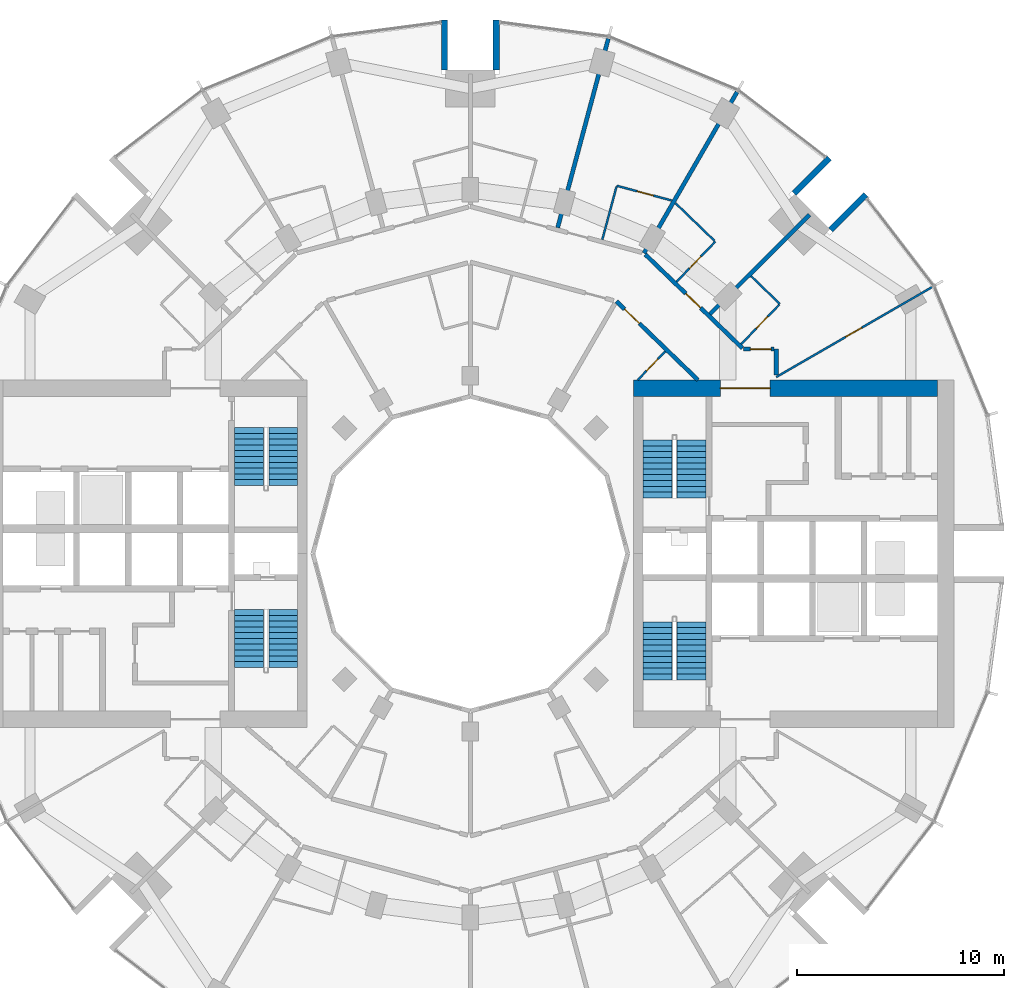
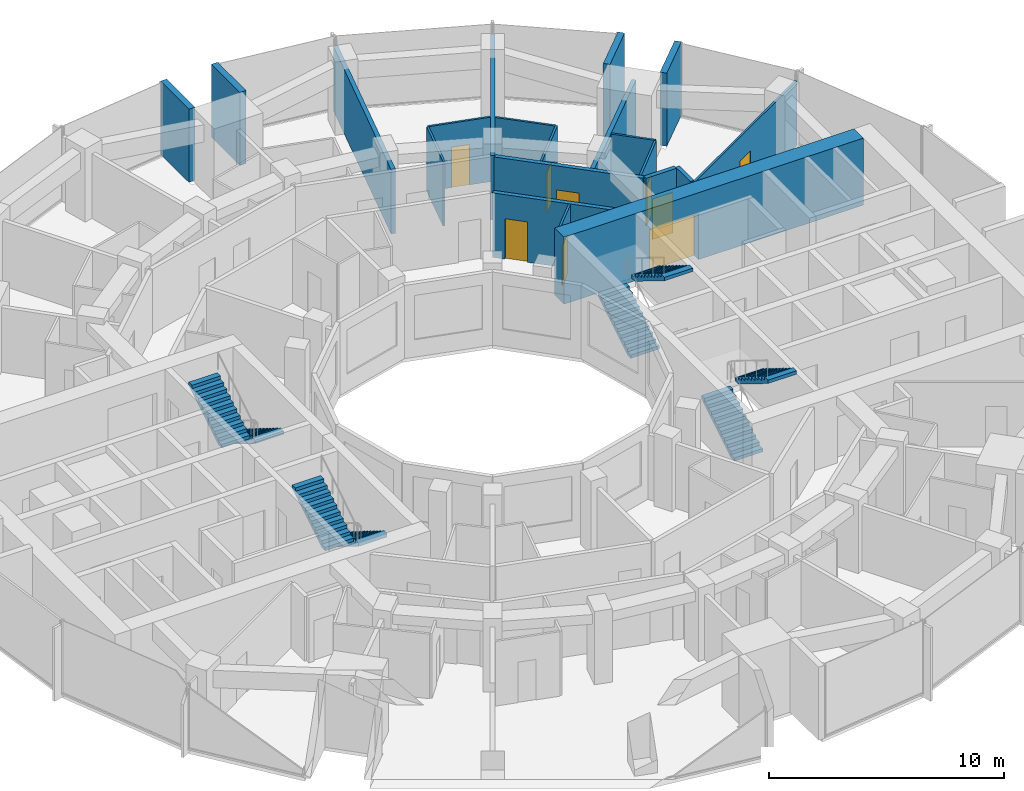
# One storey, part 13 of 15: 20 walls, 9 doors, 8 stair flights, 9 openings, 4 elements without a shape of their own.
"""IFC4 building model written with IfcOpenShell, lengths in metres."""

import ifcopenshell
import ifcopenshell.guid

model = None  # the IFC model being written
_history = None  # IfcOwnerHistory: only IFC2X3 demands one
_inside = {}  # id of a spatial element -> (the spatial element, [elements in it])
_under = {}  # id of a project, library or spatial element -> (it, [spatial elements below it])
_declared = {}  # id of a project -> (the project, [libraries it declares])
_typed = {}  # id of a type object -> (the type object, [elements of that type])
_made_of = {}  # id of a material, layer set ... -> (it, [elements and type objects made of it])


def new_model(schema):
    """Start an empty IFC model of exactly this schema.

    Asked for "IFC4X3", IfcOpenShell would pick the latest addendum, in which some entities
    have other attributes; the version numbers below select the first issue.
    IFC2X3 requires an IfcOwnerHistory on every rooted entity: one is made here for all.
    """
    global model, _history
    if schema == "IFC4X3":
        model = ifcopenshell.file(schema_version=(4, 3, 0, 0))
    else:
        model = ifcopenshell.file(schema=schema)
    _inside.clear()
    _under.clear()
    _declared.clear()
    _typed.clear()
    _made_of.clear()
    _history = None
    if model.schema == "IFC2X3":
        org = make("IfcOrganization", Name="unknown")
        user = make(
            "IfcPersonAndOrganization",
            ThePerson=make("IfcPerson", FamilyName="unknown"),
            TheOrganization=org,
        )
        app = make(
            "IfcApplication",
            ApplicationDeveloper=org,
            Version="unknown",
            ApplicationFullName="unknown",
            ApplicationIdentifier="unknown",
        )
        _history = make(
            "IfcOwnerHistory",
            OwningUser=user,
            OwningApplication=app,
            ChangeAction="ADDED",
            CreationDate=0,
        )
    return model


def make(cls, **values):
    """One entity of the class cls with the attributes given. An attribute that is None is left unset."""
    return model.create_entity(
        cls, **{name: value for name, value in values.items() if value is not None}
    )


def rooted(cls, **values):
    """An entity with a GlobalId (a new one), such as an element, a storey or a relation."""
    return make(cls, GlobalId=ifcopenshell.guid.new(), OwnerHistory=_history, **values)


def si_unit(unit_type, name, prefix=None):
    """IfcSIUnit, for example si_unit("LENGTHUNIT", "METRE", prefix="MILLI")."""
    return make("IfcSIUnit", UnitType=unit_type, Prefix=prefix, Name=name)


def assignment(units):
    """IfcUnitAssignment: the units of a project."""
    return None if units is None else make("IfcUnitAssignment", Units=units)


def point(xyz):
    """IfcCartesianPoint."""
    return None if xyz is None else make("IfcCartesianPoint", Coordinates=xyz)


def direction(xyz):
    """IfcDirection."""
    return None if xyz is None else make("IfcDirection", DirectionRatios=xyz)


def frame(location, z_axis=None, x_axis=None):
    """IfcAxis2Placement3D, a coordinate frame: its origin and axes. An axis left out is left unset."""
    return make(
        "IfcAxis2Placement3D",
        Location=point(location),
        Axis=direction(z_axis),
        RefDirection=direction(x_axis),
    )


def frame_2d(location, x_axis=None):
    """IfcAxis2Placement2D, a coordinate frame in the plane: its origin and x axis."""
    return make(
        "IfcAxis2Placement2D", Location=point(location), RefDirection=direction(x_axis)
    )


def origin():
    """The frame at (0, 0, 0) with its axes left unset."""
    return frame((0.0, 0.0, 0.0))


def place(relative_to, where):
    """IfcLocalPlacement: puts the frame where relative to a parent placement (None: the world)."""
    return make(
        "IfcLocalPlacement", PlacementRelTo=relative_to, RelativePlacement=where
    )


def context(
    kind, dimensions, precision=None, world=None, true_north=None, identifier=None
):
    """IfcGeometricRepresentationContext, for example the 3D "Model" context."""
    return make(
        "IfcGeometricRepresentationContext",
        ContextIdentifier=identifier,
        ContextType=kind,
        CoordinateSpaceDimension=dimensions,
        Precision=precision,
        WorldCoordinateSystem=world,
        TrueNorth=true_north,
    )


def subcontext(parent, identifier, kind, view, scale=None):
    """IfcGeometricRepresentationSubContext, for example "Body" below "Model"."""
    return make(
        "IfcGeometricRepresentationSubContext",
        ContextIdentifier=identifier,
        ContextType=kind,
        ParentContext=parent,
        TargetScale=scale,
        TargetView=view,
    )


def project(units=None, contexts=None):
    """IfcProject with its units and contexts."""
    return rooted(
        "IfcProject",
        Name="project",
        RepresentationContexts=contexts,
        UnitsInContext=assignment(units),
    )


def spatial(cls, under=None, at=None, **own):
    """A site, building, storey or space (cls), placed at a placement, below another one or the project."""
    s = rooted(cls, ObjectPlacement=at, **own)
    if under is not None:
        _under.setdefault(under.id(), (under, []))[1].append(s)
    return s


def polyline(points):
    """IfcPolyline through the points."""
    return make("IfcPolyline", Points=[point(p) for p in points])


def profile(cls, at=None, kind="AREA", **sizes):
    """A parametric profile (cls). Its sizes go by their IFC names, for example OverallWidth=200.0."""
    return make(cls, ProfileType=kind, Position=at, **sizes)


def rectangle(**sizes):
    """IfcRectangleProfileDef."""
    return profile("IfcRectangleProfileDef", **sizes)


def outline(outer, holes=None, kind="AREA"):
    """IfcArbitraryClosedProfileDef: a profile drawn as a closed curve; with holes, ...WithVoids."""
    if holes is None:
        return make("IfcArbitraryClosedProfileDef", ProfileType=kind, OuterCurve=outer)
    return make(
        "IfcArbitraryProfileDefWithVoids",
        ProfileType=kind,
        OuterCurve=outer,
        InnerCurves=holes,
    )


def extrude(swept, where, along, depth):
    """IfcExtrudedAreaSolid: the profile swept, set in the frame where, extruded along a direction by depth."""
    return make(
        "IfcExtrudedAreaSolid",
        SweptArea=swept,
        Position=where,
        ExtrudedDirection=direction(along),
        Depth=depth,
    )


def shape(context_of_items, identifier, shape_type, items):
    """IfcShapeRepresentation: the items that make up one representation, for example the "Body"."""
    return make(
        "IfcShapeRepresentation",
        ContextOfItems=context_of_items,
        RepresentationIdentifier=identifier,
        RepresentationType=shape_type,
        Items=items,
    )


def material(Name=None, Category=None):
    """IfcMaterial."""
    return make("IfcMaterial", Name=Name, Category=Category)


def layer(
    of_material, thickness, ventilated=None, Name=None, Category=None, Priority=None
):
    """IfcMaterialLayer: one layer of a wall or slab, of a material (None: an air gap)."""
    return make(
        "IfcMaterialLayer",
        Material=of_material,
        LayerThickness=thickness,
        IsVentilated=ventilated,
        Name=Name,
        Category=Category,
        Priority=Priority,
    )


def layer_set(layers, Name=None):
    """IfcMaterialLayerSet."""
    return make("IfcMaterialLayerSet", MaterialLayers=layers, LayerSetName=Name)


def made_of(thing, what):
    """Note that an element or type object is made of a material, layer set ...; save() writes the relation."""
    if what is not None:
        _made_of.setdefault(what.id(), (what, []))[1].append(thing)
    return thing


def type_object(cls, material=None, **own):
    """A type object (cls), such as IfcWallType, which elements share."""
    return made_of(rooted(cls, **own), material)


def element(
    cls,
    number,
    at=None,
    inside=None,
    cuts=None,
    type_object=None,
    material=None,
    context=None,
    identifier="Body",
    shape_type=None,
    held_by="IfcProductDefinitionShape",
    body=None,
    shapes=None,
    **own,
):
    """One element of the class cls, such as IfcWall. Its Tag is "e" and its number.

    at: its placement. inside: the storey or other place that contains it. cuts: it is an
    opening in that element (IfcRelVoidsElement). A single representation is given by context,
    identifier, shape_type and body (its items); several are given by shapes. held_by: the class
    of the entity that holds the representations. save() writes the other relations.
    """
    e = rooted(cls, Tag="e%d" % number, ObjectPlacement=at, **own)
    if body is not None:
        shapes = [shape(context, identifier, shape_type, body)]
    if shapes is not None:
        e.Representation = make(held_by, Representations=shapes)
    if inside is not None:
        _inside.setdefault(inside.id(), (inside, []))[1].append(e)
    if cuts is not None:
        rooted(
            "IfcRelVoidsElement", RelatingBuildingElement=cuts, RelatedOpeningElement=e
        )
    if type_object is not None:
        _typed.setdefault(type_object.id(), (type_object, []))[1].append(e)
    return made_of(e, material)


def fill(opening, filler):
    """IfcRelFillsElement: the door or window that sits in an opening."""
    return rooted(
        "IfcRelFillsElement",
        RelatingOpeningElement=opening,
        RelatedBuildingElement=filler,
    )


def aggregate(whole, parts):
    """IfcRelAggregates: a whole, such as a stair, and the parts it consists of."""
    return rooted("IfcRelAggregates", RelatingObject=whole, RelatedObjects=parts)


def save(model, path):
    """Write the relations noted so far, then the file.

    IfcRelAggregates (storeys below a building ...), IfcRelContainedInSpatialStructure (elements
    in a storey), IfcRelDefinesByType, IfcRelAssociatesMaterial and IfcRelDeclares: one each for
    every whole, place, type object, material and project.
    """
    for whole, parts in _under.values():
        aggregate(whole, parts)
    for where, things in _inside.values():
        rooted(
            "IfcRelContainedInSpatialStructure",
            RelatedElements=things,
            RelatingStructure=where,
        )
    for kind, things in _typed.values():
        rooted("IfcRelDefinesByType", RelatedObjects=things, RelatingType=kind)
    for what, things in _made_of.values():
        rooted("IfcRelAssociatesMaterial", RelatedObjects=things, RelatingMaterial=what)
    for by, libraries in _declared.values():
        rooted("IfcRelDeclares", RelatingContext=by, RelatedDefinitions=libraries)
    model.write(path)


model = new_model("IFC4")

# Units and contexts
model_context = context("Model", 3, precision=1e-05, world=origin(), true_north=direction((0.0, 1.0)))
body_context = subcontext(model_context, "Body", "Model", "MODEL_VIEW")
ifc_project = project(units=[si_unit("LENGTHUNIT", "METRE"), si_unit("AREAUNIT", "SQUARE_METRE"), si_unit("VOLUMEUNIT", "CUBIC_METRE"), si_unit("PLANEANGLEUNIT", "RADIAN"), si_unit("MASSUNIT", "GRAM", prefix="KILO")], contexts=[model_context])

# Site, building, storey
site_placement = place(None, origin())
site = spatial("IfcSite", under=ifc_project, at=site_placement, CompositionType="ELEMENT")
building_placement = place(site_placement, origin())
building = spatial("IfcBuilding", under=site, at=building_placement, Name="Torre Brocal", CompositionType="ELEMENT")
storey_placement = place(building_placement, frame((0.0, 0.0, 36.39990234375)))
storey = spatial("IfcBuildingStorey", under=building, at=storey_placement, Name="L07", CompositionType="ELEMENT", Elevation=36.39990234375)

# Wall, opening, door
ifc_material_1 = material(Name="Concrete C80", Category="concrete")
ifc_layer_1 = layer(ifc_material_1, 0.800048828125)
ifc_layer_set_1 = layer_set([ifc_layer_1], Name="Concrete C80")
wall_type_1 = type_object("IfcWallType", Name="CORE WALL 800 C80", PredefinedType="SHEAR", material=ifc_layer_set_1)
wall_1_placement = place(storey_placement, frame((87.89990234375, 83.0, 0.0), z_axis=(0.0, 0.0, 1.0), x_axis=(1.0, 0.0, 0.0)))
wall_1 = element("IfcWall", 1, at=wall_1_placement, inside=storey, type_object=wall_type_1, Name="Wall CW800-80", PredefinedType="SHEAR", context=body_context, shape_type="SweptSolid", body=[
    extrude(rectangle(XDim=14.7001953125, YDim=0.800048828125, at=frame_2d((7.35009765625, 0.0))), origin(), (0.0, 0.0, 1.0), 3.47998046875),
])
opening_1_placement = place(wall_1_placement, frame((4.199951171875, 0.0, 0.0)))
opening_1 = element("IfcOpeningElement", 2, at=opening_1_placement, cuts=wall_1, Name="Opening E-D27", PredefinedType="OPENING", context=body_context, shape_type="SweptSolid", body=[
    extrude(rectangle(XDim=2.39990234375, YDim=2.39990234375, at=frame_2d((1.199951171875, 1.199951171875))), frame((0.0, 0.409912109375, 0.0), z_axis=(0.0, -1.0, 0.0), x_axis=(1.0, 0.0, 0.0)), (0.0, 0.0, 1.0), 0.820068359375),
])
ifc_material_2 = material(Name="Steel A653", Category="steel")
door_type_1 = type_object("IfcDoorType", Name="DOUBLE FIRE DOOR FD90 2400X2400", OperationType="DOUBLE_DOOR_SINGLE_SWING", PredefinedType="DOOR", material=ifc_material_2)
door_1_placement = place(opening_1_placement, frame((2.39990234375, 0.0, 0.0), z_axis=(0.0, 0.0, 1.0), x_axis=(-1.0, 0.0, 0.0)))
door_1 = element("IfcDoor", 3, at=door_1_placement, inside=storey, type_object=door_type_1, Name="Door E-D27", OperationType="DOUBLE_DOOR_SINGLE_SWING", OverallHeight=2.39990234375, OverallWidth=2.39990234375, PredefinedType="DOOR", context=body_context, shape_type="SweptSolid", body=[
    extrude(rectangle(XDim=2.39990234375, YDim=2.39990234375, at=frame_2d((1.199951171875, 1.199951171875))), frame((0.0, 0.02490234375, 0.0), z_axis=(0.0, -1.0, 0.0), x_axis=(1.0, 0.0, 0.0)), (0.0, 0.0, 1.0), 0.050048828125),
])
fill(opening_1, door_1)

# Walls
ifc_material_3 = material(Name="Concrete C80", Category="concrete")
ifc_layer_2 = layer(ifc_material_3, 0.300048828125)
ifc_layer_set_2 = layer_set([ifc_layer_2], Name="Concrete C80")
wall_type_2 = type_object("IfcWallType", Name="NOTCH RETURN WALL 300 C80", PredefinedType="NOTDEFINED", material=ifc_layer_set_2)
for number, where, z_axis, x_axis, name in (
    (4, (97.43017578125, 90.662353515625, 0.0), (0.0, 0.0, 1.0), (0.707106781187, 0.707106781187, 0.0), "NOTCH RETURN WALL"),
    (5, (95.662353515625, 92.43017578125, 0.0), (0.0, 0.0, 1.0), (0.707106781187, 0.707106781187, 0.0), "NOTCH RETURN WALL"),
    (6, (81.25, 98.39990234375, 0.0), (0.0, 0.0, 1.0), (0.0, 1.0, 0.0), "NOTCH RETURN WALL"),
    (7, (78.75, 98.39990234375, 0.0), (0.0, 0.0, 1.0), (0.0, 1.0, 0.0), "NOTCH RETURN WALL"),
):
    element("IfcWall", number, at=place(storey_placement, frame(where, z_axis=z_axis, x_axis=x_axis)), inside=storey, type_object=wall_type_2, Name=name, PredefinedType="NOTDEFINED", context=body_context, shape_type="SweptSolid", body=[
        extrude(rectangle(XDim=2.415771484375, YDim=0.300048828125, at=frame_2d((1.2080078125, 0.0))), origin(), (0.0, 0.0, 1.0), 3.800048828125),
    ])
ifc_material_4 = material(Name="Gypsum board", Category="Gypsum")
ifc_layer_3 = layer(ifc_material_4, 0.10009765625)
ifc_layer_set_3 = layer_set([ifc_layer_3], Name="Gypsum board")
wall_type_3 = type_object("IfcWallType", Name="PARTITION 100", PredefinedType="PARTITIONING", material=ifc_layer_set_3)
wall_2_placement = place(storey_placement, frame((86.3837890625, 90.189697265625, 0.0), z_axis=(0.0, 0.0, 1.0), x_axis=(0.258677737588, 0.965963678446, 0.0)))
element("IfcWall", 8, at=wall_2_placement, inside=storey, type_object=wall_type_3, Name="BATHROOM WALL", PredefinedType="PARTITIONING", context=body_context, shape_type="SweptSolid", body=[
    extrude(rectangle(XDim=2.649169921875, YDim=0.10009765625, at=frame_2d((1.32470703125, 0.0))), origin(), (0.0, 0.0, 1.0), 3.35009765625),
])

# Wall, opening, door
wall_3_placement = place(storey_placement, frame((87.08203125, 92.797119140625, 0.0), z_axis=(0.0, 0.0, 1.0), x_axis=(0.965926679745, -0.258815859939, 0.0)))
wall_3 = element("IfcWall", 9, at=wall_3_placement, inside=storey, type_object=wall_type_3, Name="BATHROOM WALL", PredefinedType="PARTITIONING", context=body_context, shape_type="SweptSolid", body=[
    extrude(rectangle(XDim=2.75341796875, YDim=0.10009765625, at=frame_2d((1.376708984375, 0.0))), origin(), (0.0, 0.0, 1.0), 3.35009765625),
])
opening_2_placement = place(wall_3_placement, frame((1.03173828125, 0.0, 0.0)))
opening_2 = element("IfcOpeningElement", 10, at=opening_2_placement, cuts=wall_3, Name="Opening H01-D07", PredefinedType="OPENING", context=body_context, shape_type="SweptSolid", body=[
    extrude(rectangle(XDim=0.800048828125, YDim=2.10009765625, at=frame_2d((0.39990234375, 1.050048828125))), frame((0.0, 0.06005859375, 0.0), z_axis=(0.0, -1.0, 0.0), x_axis=(1.0, 0.0, 0.0)), (0.0, 0.0, 1.0), 0.1201171875),
])
ifc_material_5 = material(Name="Timber", Category="wood")
door_type_2 = type_object("IfcDoorType", Name="BATHROOM DOOR 800X2100", OperationType="SINGLE_SWING_LEFT", PredefinedType="DOOR", material=ifc_material_5)
door_2_placement = place(opening_2_placement, frame((0.800048828125, 0.0, 0.0), z_axis=(0.0, 0.0, 1.0), x_axis=(-1.0, 0.0, 0.0)))
door_2 = element("IfcDoor", 11, at=door_2_placement, inside=storey, type_object=door_type_2, Name="H01-D07", OperationType="SINGLE_SWING_LEFT", OverallHeight=2.10009765625, OverallWidth=0.800048828125, PredefinedType="DOOR", context=body_context, shape_type="SweptSolid", body=[
    extrude(rectangle(XDim=0.800048828125, YDim=2.10009765625, at=frame_2d((0.39990234375, 1.050048828125))), frame((0.0, 0.02490234375, 0.0), z_axis=(0.0, -1.0, 0.0), x_axis=(1.0, 0.0, 0.0)), (0.0, 0.0, 1.0), 0.050048828125),
])
fill(opening_2, door_2)

wall_4_placement = place(storey_placement, frame((88.094970703125, 83.39990234375, 0.0), z_axis=(0.0, 0.0, 1.0), x_axis=(0.694447472534, 0.719543402368, 0.0)))
wall_4 = element("IfcWall", 12, at=wall_4_placement, inside=storey, type_object=wall_type_3, Name="BATHROOM WALL", PredefinedType="PARTITIONING", context=body_context, shape_type="SweptSolid", body=[
    extrude(rectangle(XDim=1.92626953125, YDim=0.10009765625, at=frame_2d((0.963134765625, 0.0))), origin(), (0.0, 0.0, 1.0), 3.35009765625),
])
opening_3_placement = place(wall_4_placement, frame((0.613037109375, 0.0, 0.0)))
opening_3 = element("IfcOpeningElement", 13, at=opening_3_placement, cuts=wall_4, Name="Opening H01-D19", PredefinedType="OPENING", context=body_context, shape_type="SweptSolid", body=[
    extrude(rectangle(XDim=0.800048828125, YDim=2.10009765625, at=frame_2d((0.39990234375, 1.050048828125))), frame((0.0, 0.06005859375, 0.0), z_axis=(0.0, -1.0, 0.0), x_axis=(1.0, 0.0, 0.0)), (0.0, 0.0, 1.0), 0.1201171875),
])
door_3_placement = place(opening_3_placement, frame((0.800048828125, 0.0, 0.0), z_axis=(0.0, 0.0, 1.0), x_axis=(-1.0, 0.0, 0.0)))
door_3 = element("IfcDoor", 14, at=door_3_placement, inside=storey, type_object=door_type_2, Name="H01-D19", OperationType="SINGLE_SWING_LEFT", OverallHeight=2.10009765625, OverallWidth=0.800048828125, PredefinedType="DOOR", context=body_context, shape_type="SweptSolid", body=[
    extrude(rectangle(XDim=0.800048828125, YDim=2.10009765625, at=frame_2d((0.39990234375, 1.050048828125))), frame((0.0, 0.02490234375, 0.0), z_axis=(0.0, -1.0, 0.0), x_axis=(1.0, 0.0, 0.0)), (0.0, 0.0, 1.0), 0.050048828125),
])
fill(opening_3, door_3)

# Wall
wall_5_placement = place(storey_placement, frame((89.9248046875, 91.955810546875, 0.0), z_axis=(0.0, 0.0, 1.0), x_axis=(0.71935982196, -0.694637636865, 0.0)))
element("IfcWall", 15, at=wall_5_placement, inside=storey, type_object=wall_type_3, Name="BATHROOM WALL", PredefinedType="PARTITIONING", context=body_context, shape_type="SweptSolid", body=[
    extrude(rectangle(XDim=2.626953125, YDim=0.10009765625, at=frame_2d((1.3134765625, 0.0))), origin(), (0.0, 0.0, 1.0), 3.35009765625),
])

# Wall, opening, door
wall_6_placement = place(storey_placement, frame((89.9755859375, 88.154052734375, 0.0), z_axis=(0.0, 0.0, 1.0), x_axis=(0.6945137956, 0.719479386585, 0.0)))
wall_6 = element("IfcWall", 16, at=wall_6_placement, inside=storey, type_object=wall_type_3, Name="BATHROOM WALL", PredefinedType="PARTITIONING", context=body_context, shape_type="SweptSolid", body=[
    extrude(rectangle(XDim=2.698974609375, YDim=0.10009765625, at=frame_2d((1.349609375, 0.0))), origin(), (0.0, 0.0, 1.0), 3.35009765625),
])
opening_4_placement = place(wall_6_placement, frame((0.899658203125, 0.0, 0.0)))
opening_4 = element("IfcOpeningElement", 17, at=opening_4_placement, cuts=wall_6, Name="Opening H01-D05", PredefinedType="OPENING", context=body_context, shape_type="SweptSolid", body=[
    extrude(rectangle(XDim=0.800048828125, YDim=2.10009765625, at=frame_2d((0.39990234375, 1.050048828125))), frame((0.0, 0.06005859375, 0.0), z_axis=(0.0, -1.0, 0.0), x_axis=(1.0, 0.0, 0.0)), (0.0, 0.0, 1.0), 0.1201171875),
])
door_4_placement = place(opening_4_placement, origin())
door_4 = element("IfcDoor", 18, at=door_4_placement, inside=storey, type_object=door_type_2, Name="H01-D05", OperationType="SINGLE_SWING_LEFT", OverallHeight=2.10009765625, OverallWidth=0.800048828125, PredefinedType="DOOR", context=body_context, shape_type="SweptSolid", body=[
    extrude(rectangle(XDim=0.800048828125, YDim=2.10009765625, at=frame_2d((0.39990234375, 1.050048828125))), frame((0.0, 0.02490234375, 0.0), z_axis=(0.0, -1.0, 0.0), x_axis=(1.0, 0.0, 0.0)), (0.0, 0.0, 1.0), 0.050048828125),
])
fill(opening_4, door_4)

wall_7_placement = place(storey_placement, frame((93.1025390625, 85.135986328125, 0.0), z_axis=(0.0, 0.0, 1.0), x_axis=(0.694324808789, 0.719661767708, 0.0)))
wall_7 = element("IfcWall", 19, at=wall_7_placement, inside=storey, type_object=wall_type_3, Name="BATHROOM WALL", PredefinedType="PARTITIONING", context=body_context, shape_type="SweptSolid", body=[
    extrude(rectangle(XDim=2.64990234375, YDim=0.10009765625, at=frame_2d((1.324951171875, 0.0))), origin(), (0.0, 0.0, 1.0), 3.35009765625),
])
opening_5_placement = place(wall_7_placement, frame((1.0498046875, 0.0, 0.0)))
opening_5 = element("IfcOpeningElement", 20, at=opening_5_placement, cuts=wall_7, Name="Opening H01-D02", PredefinedType="OPENING", context=body_context, shape_type="SweptSolid", body=[
    extrude(rectangle(XDim=0.800048828125, YDim=2.10009765625, at=frame_2d((0.39990234375, 1.050048828125))), frame((0.0, 0.06005859375, 0.0), z_axis=(0.0, -1.0, 0.0), x_axis=(1.0, 0.0, 0.0)), (0.0, 0.0, 1.0), 0.1201171875),
])
door_5_placement = place(opening_5_placement, origin())
door_5 = element("IfcDoor", 21, at=door_5_placement, inside=storey, type_object=door_type_2, Name="H01-D02", OperationType="SINGLE_SWING_RIGHT", OverallHeight=2.10009765625, OverallWidth=0.800048828125, PredefinedType="DOOR", context=body_context, shape_type="SweptSolid", body=[
    extrude(rectangle(XDim=0.800048828125, YDim=2.10009765625, at=frame_2d((0.39990234375, 1.050048828125))), frame((0.0, 0.02490234375, 0.0), z_axis=(0.0, -1.0, 0.0), x_axis=(1.0, 0.0, 0.0)), (0.0, 0.0, 1.0), 0.050048828125),
])
fill(opening_5, door_5)

# Wall
wall_8_placement = place(storey_placement, frame((93.5810546875, 88.425048828125, 0.0), z_axis=(0.0, 0.0, 1.0), x_axis=(0.719336381931, -0.694661910307, 0.0)))
element("IfcWall", 22, at=wall_8_placement, inside=storey, type_object=wall_type_3, Name="BATHROOM WALL", PredefinedType="PARTITIONING", context=body_context, shape_type="SweptSolid", body=[
    extrude(rectangle(XDim=1.939208984375, YDim=0.10009765625, at=frame_2d((0.9697265625, 0.0))), origin(), (0.0, 0.0, 1.0), 3.35009765625),
])

# Wall, opening, door
wall_9_placement = place(storey_placement, frame((94.800048828125, 83.544921875, 0.0), z_axis=(0.0, 0.0, 1.0), x_axis=(0.86602264145, 0.500004784474, 0.0)))
wall_9 = element("IfcWall", 23, at=wall_9_placement, inside=storey, type_object=wall_type_3, Name="ROOM PARTITION", PredefinedType="PARTITIONING", context=body_context, shape_type="SweptSolid", body=[
    extrude(rectangle(XDim=8.7080078125, YDim=0.10009765625, at=frame_2d((4.35400390625, 0.0))), origin(), (0.0, 0.0, 1.0), 3.35009765625),
])
opening_6_placement = place(wall_9_placement, frame((3.87890625, 0.0, 0.0)))
opening_6 = element("IfcOpeningElement", 24, at=opening_6_placement, cuts=wall_9, Name="Opening H01-D03", PredefinedType="OPENING", context=body_context, shape_type="SweptSolid", body=[
    extrude(rectangle(XDim=0.89990234375, YDim=2.10009765625, at=frame_2d((0.449951171875, 1.050048828125))), frame((0.0, 0.06005859375, 0.0), z_axis=(0.0, -1.0, 0.0), x_axis=(1.0, 0.0, 0.0)), (0.0, 0.0, 1.0), 0.1201171875),
])
ifc_material_6 = material(Name="Timber", Category="wood")
door_type_3 = type_object("IfcDoorType", Name="ROOM DOOR 900X2100", OperationType="SINGLE_SWING_LEFT", PredefinedType="DOOR", material=ifc_material_6)
door_6_placement = place(opening_6_placement, frame((0.89990234375, 0.0, 0.0), z_axis=(0.0, 0.0, 1.0), x_axis=(-1.0, 0.0, 0.0)))
door_6 = element("IfcDoor", 25, at=door_6_placement, inside=storey, type_object=door_type_3, Name="H01-D03", OperationType="SINGLE_SWING_RIGHT", OverallHeight=2.10009765625, OverallWidth=0.89990234375, PredefinedType="DOOR", context=body_context, shape_type="SweptSolid", body=[
    extrude(rectangle(XDim=0.89990234375, YDim=2.10009765625, at=frame_2d((0.449951171875, 1.050048828125))), frame((0.0, 0.02490234375, 0.0), z_axis=(0.0, -1.0, 0.0), x_axis=(1.0, 0.0, 0.0)), (0.0, 0.0, 1.0), 0.050048828125),
])
fill(opening_6, door_6)

# Wall
ifc_material_7 = material(Name="Gypsum board", Category="Gypsum")
ifc_layer_4 = layer(ifc_material_7, 0.199951171875)
ifc_layer_set_4 = layer_set([ifc_layer_4], Name="Gypsum board")
wall_type_4 = type_object("IfcWallType", Name="PARTITION 200 EI60", PredefinedType="PARTITIONING", material=ifc_layer_set_4)
wall_10_placement = place(storey_placement, frame((84.224853515625, 90.767578125, 0.0), z_axis=(0.0, 0.0, 1.0), x_axis=(0.258817230439, 0.965926312525, 0.0)))
element("IfcWall", 26, at=wall_10_placement, inside=storey, type_object=wall_type_4, Name="PARTY PARTITION", PredefinedType="PARTITIONING", context=body_context, shape_type="SweptSolid", body=[
    extrude(rectangle(XDim=9.474365234375, YDim=0.199951171875, at=frame_2d((4.7373046875, 0.0))), origin(), (0.0, 0.0, 1.0), 3.35009765625),
])

# Wall, opening, door
wall_11_placement = place(storey_placement, frame((87.06396484375, 87.2109375, 0.0), z_axis=(0.0, 0.0, 1.0), x_axis=(0.719540958932, -0.694450004262, 0.0)))
wall_11 = element("IfcWall", 27, at=wall_11_placement, inside=storey, type_object=wall_type_4, Name="GUESTROOM CORRIDOR WALL", PredefinedType="PARTITIONING", context=body_context, shape_type="SweptSolid", body=[
    extrude(rectangle(XDim=5.48779296875, YDim=0.199951171875, at=frame_2d((2.743896484375, 0.0))), origin(), (0.0, 0.0, 1.0), 3.35009765625),
])
opening_7_placement = place(wall_11_placement, frame((0.550048828125, 0.0, 0.0)))
opening_7 = element("IfcOpeningElement", 28, at=opening_7_placement, cuts=wall_11, Name="Opening H01-D18", PredefinedType="OPENING", context=body_context, shape_type="SweptSolid", body=[
    extrude(rectangle(XDim=1.0, YDim=2.10009765625, at=frame_2d((0.5, 1.050048828125))), frame((0.0, 0.10986328125, 0.0), z_axis=(0.0, -1.0, 0.0), x_axis=(1.0, 0.0, 0.0)), (0.0, 0.0, 1.0), 0.219970703125),
])
ifc_material_8 = material(Name="Timber", Category="wood")
door_type_4 = type_object("IfcDoorType", Name="FLAT ENTRY DOOR FD30S 1000X2100", OperationType="SINGLE_SWING_RIGHT", PredefinedType="DOOR", material=ifc_material_8)
door_7_placement = place(opening_7_placement, frame((1.0, 0.0, 0.0), z_axis=(0.0, 0.0, 1.0), x_axis=(-1.0, 0.0, 0.0)))
door_7 = element("IfcDoor", 29, at=door_7_placement, inside=storey, type_object=door_type_4, Name="H01-D18", OperationType="SINGLE_SWING_RIGHT", OverallHeight=2.10009765625, OverallWidth=1.0, PredefinedType="DOOR", context=body_context, shape_type="SweptSolid", body=[
    extrude(rectangle(XDim=1.0, YDim=2.10009765625, at=frame_2d((0.5, 1.050048828125))), frame((0.0, 0.02490234375, 0.0), z_axis=(0.0, -1.0, 0.0), x_axis=(1.0, 0.0, 0.0)), (0.0, 0.0, 1.0), 0.050048828125),
])
fill(opening_7, door_7)

wall_12_placement = place(storey_placement, frame((88.46533203125, 89.472900390625, 0.0), z_axis=(0.0, 0.0, 1.0), x_axis=(0.719457552421, -0.694536413922, 0.0)))
wall_12 = element("IfcWall", 30, at=wall_12_placement, inside=storey, type_object=wall_type_4, Name="GUESTROOM CORRIDOR WALL", PredefinedType="PARTITIONING", context=body_context, shape_type="SweptSolid", body=[
    extrude(rectangle(XDim=6.5244140625, YDim=0.199951171875, at=frame_2d((3.26220703125, 0.0))), origin(), (0.0, 0.0, 1.0), 3.35009765625),
])
opening_8_placement = place(wall_12_placement, frame((2.718505859375, 0.0, 0.0)))
opening_8 = element("IfcOpeningElement", 31, at=opening_8_placement, cuts=wall_12, Name="Opening H01-D04", PredefinedType="OPENING", context=body_context, shape_type="SweptSolid", body=[
    extrude(rectangle(XDim=1.0, YDim=2.10009765625, at=frame_2d((0.5, 1.050048828125))), frame((0.0, 0.10986328125, 0.0), z_axis=(0.0, -1.0, 0.0), x_axis=(1.0, 0.0, 0.0)), (0.0, 0.0, 1.0), 0.219970703125),
])
door_8_placement = place(opening_8_placement, origin())
door_8 = element("IfcDoor", 32, at=door_8_placement, inside=storey, type_object=door_type_4, Name="H01-D04", OperationType="SINGLE_SWING_RIGHT", OverallHeight=2.10009765625, OverallWidth=1.0, PredefinedType="DOOR", context=body_context, shape_type="SweptSolid", body=[
    extrude(rectangle(XDim=1.0, YDim=2.10009765625, at=frame_2d((0.5, 1.050048828125))), frame((0.0, 0.02490234375, 0.0), z_axis=(0.0, -1.0, 0.0), x_axis=(1.0, 0.0, 0.0)), (0.0, 0.0, 1.0), 0.050048828125),
])
fill(opening_8, door_8)

# Walls
wall_13_placement = place(storey_placement, frame((88.39990234375, 89.53759765625, 0.0), z_axis=(0.0, 0.0, 1.0), x_axis=(0.5002401188, 0.865886726739, 0.0)))
element("IfcWall", 33, at=wall_13_placement, inside=storey, type_object=wall_type_4, Name="BATHROOM WALL", PredefinedType="PARTITIONING", context=body_context, shape_type="SweptSolid", body=[
    extrude(rectangle(XDim=9.0078125, YDim=0.199951171875, at=frame_2d((4.50390625, 0.0))), origin(), (0.0, 0.0, 1.0), 3.35009765625),
])
wall_14_placement = place(storey_placement, frame((91.594482421875, 86.59130859375, 0.0), z_axis=(0.0, 0.0, 1.0), x_axis=(0.707214399597, 0.706999146394, 0.0)))
element("IfcWall", 34, at=wall_14_placement, inside=storey, type_object=wall_type_4, Name="BATHROOM WALL", PredefinedType="PARTITIONING", context=body_context, shape_type="SweptSolid", body=[
    extrude(rectangle(XDim=6.80517578125, YDim=0.199951171875, at=frame_2d((3.402587890625, 0.0))), origin(), (0.0, 0.0, 1.0), 3.35009765625),
])

# Wall, opening, door
wall_15_placement = place(storey_placement, frame((93.202880859375, 84.89990234375, 0.0), z_axis=(0.0, 0.0, 1.0), x_axis=(1.0, 0.0, 0.0)))
wall_15 = element("IfcWall", 35, at=wall_15_placement, inside=storey, type_object=wall_type_4, Name="GUESTROOM CORRIDOR WALL", PredefinedType="PARTITIONING", context=body_context, shape_type="SweptSolid", body=[
    extrude(rectangle(XDim=1.4970703125, YDim=0.199951171875, at=frame_2d((0.74853515625, 0.0))), origin(), (0.0, 0.0, 1.0), 3.35009765625),
])
opening_9_placement = place(wall_15_placement, frame((0.346923828125, 0.0, 0.0)))
opening_9 = element("IfcOpeningElement", 36, at=opening_9_placement, cuts=wall_15, Name="Opening H01-D01", PredefinedType="OPENING", context=body_context, shape_type="SweptSolid", body=[
    extrude(rectangle(XDim=1.0, YDim=2.10009765625, at=frame_2d((0.5, 1.050048828125))), frame((0.0, 0.10986328125, 0.0), z_axis=(0.0, -1.0, 0.0), x_axis=(1.0, 0.0, 0.0)), (0.0, 0.0, 1.0), 0.219970703125),
])
door_9_placement = place(opening_9_placement, origin())
door_9 = element("IfcDoor", 37, at=door_9_placement, inside=storey, type_object=door_type_4, Name="H01-D01", OperationType="SINGLE_SWING_RIGHT", OverallHeight=2.10009765625, OverallWidth=1.0, PredefinedType="DOOR", context=body_context, shape_type="SweptSolid", body=[
    extrude(rectangle(XDim=1.0, YDim=2.10009765625, at=frame_2d((0.5, 1.050048828125))), frame((0.0, 0.02490234375, 0.0), z_axis=(0.0, -1.0, 0.0), x_axis=(1.0, 0.0, 0.0)), (0.0, 0.0, 1.0), 0.050048828125),
])
fill(opening_9, door_9)

# Wall
wall_16_placement = place(storey_placement, frame((94.800048828125, 83.64990234375, 0.0), z_axis=(0.0, 0.0, 1.0), x_axis=(0.0, 1.0, 0.0)))
element("IfcWall", 38, at=wall_16_placement, inside=storey, type_object=wall_type_4, Name="GUESTROOM CORRIDOR WALL", PredefinedType="PARTITIONING", context=body_context, shape_type="SweptSolid", body=[
    extrude(rectangle(XDim=1.25, YDim=0.199951171875, at=frame_2d((0.625, 0.0))), origin(), (0.0, 0.0, 1.0), 3.35009765625),
])

# Stair, stair flights
ifc_material_9 = material(Name="Concrete C50", Category="concrete")
stair_type = type_object("IfcStairType", Name="EXIT STAIR", PredefinedType="HALF_TURN_STAIR", material=ifc_material_9)
stair_1_placement = place(storey_placement, origin())
stair_1 = element("IfcStair", 39, at=stair_1_placement, inside=storey, type_object=stair_type, Name="EXIT STAIR ST1", PredefinedType="HALF_TURN_STAIR")
ifc_material_10 = material(Name="Concrete C50", Category="concrete")
ifc_layer_5 = layer(ifc_material_10, 0.14990234375)
ifc_layer_set_5 = layer_set([ifc_layer_5], Name="Concrete C50")
stair_flight_type = type_object("IfcStairFlightType", Name="STAIR FLIGHT", PredefinedType="STRAIGHT", material=ifc_layer_set_5)
stair_flight_1_placement = place(storey_placement, frame((89.050048828125, 77.699951171875, 0.0), z_axis=(0.0, 0.0, 1.0), x_axis=(0.0, 1.0, 0.0)))
stair_flight_1 = element("IfcStairFlight", 40, at=stair_flight_1_placement, type_object=stair_flight_type, Name="ST1 flight 1", NumberOfRisers=11, NumberOfTreads=10, PredefinedType="STRAIGHT", RiserHeight=0.172727273, TreadLength=0.28, context=body_context, shape_type="SweptSolid", body=[
    extrude(outline(polyline([(0.0, 0.0), (0.0, 0.172607421875), (0.280029296875, 0.172607421875), (0.280029296875, 0.345458984375), (0.56005859375, 0.345458984375), (0.56005859375, 0.51806640625), (0.840087890625, 0.51806640625), (0.840087890625, 0.69091796875), (1.1201171875, 0.69091796875), (1.1201171875, 0.863525390625), (1.39990234375, 0.863525390625), (1.39990234375, 1.036376953125), (1.679931640625, 1.036376953125), (1.679931640625, 1.208984375), (1.9599609375, 1.208984375), (1.9599609375, 1.3818359375), (2.239990234375, 1.3818359375), (2.239990234375, 1.554443359375), (2.52001953125, 1.554443359375), (2.52001953125, 1.727294921875), (2.800048828125, 1.727294921875), (2.800048828125, 1.89990234375), (2.800048828125, 1.551025390625), (0.285400390625, 0.0), (0.0, 0.0)])), frame((0.0, 0.699951171875, 0.0), z_axis=(0.0, -1.0, 0.0), x_axis=(1.0, 0.0, 0.0)), (0.0, 0.0, 1.0), 1.39990234375),
])
stair_flight_2_placement = place(storey_placement, frame((90.699951171875, 80.5, 1.900146484375), z_axis=(0.0, 0.0, 1.0), x_axis=(0.0, -1.0, 0.0)))
stair_flight_2 = element("IfcStairFlight", 41, at=stair_flight_2_placement, type_object=stair_flight_type, Name="ST1 flight 2", NumberOfRisers=11, NumberOfTreads=10, PredefinedType="STRAIGHT", RiserHeight=0.172727273, TreadLength=0.28, context=body_context, shape_type="SweptSolid", body=[
    extrude(outline(polyline([(0.0, 0.0), (0.0, 0.172607421875), (0.280029296875, 0.172607421875), (0.280029296875, 0.345458984375), (0.56005859375, 0.345458984375), (0.56005859375, 0.51806640625), (0.840087890625, 0.51806640625), (0.840087890625, 0.69091796875), (1.1201171875, 0.69091796875), (1.1201171875, 0.863525390625), (1.39990234375, 0.863525390625), (1.39990234375, 1.036376953125), (1.679931640625, 1.036376953125), (1.679931640625, 1.208984375), (1.9599609375, 1.208984375), (1.9599609375, 1.3818359375), (2.239990234375, 1.3818359375), (2.239990234375, 1.554443359375), (2.52001953125, 1.554443359375), (2.52001953125, 1.727294921875), (2.800048828125, 1.727294921875), (2.800048828125, 1.89990234375), (2.800048828125, 1.551025390625), (0.285400390625, 0.0), (0.0, 0.0)])), frame((0.0, 0.699951171875, 0.0), z_axis=(0.0, -1.0, 0.0), x_axis=(1.0, 0.0, 0.0)), (0.0, 0.0, 1.0), 1.39990234375),
])
aggregate(stair_1, [stair_flight_1, stair_flight_2])

stair_2_placement = place(storey_placement, origin())
stair_2 = element("IfcStair", 42, at=stair_2_placement, inside=storey, type_object=stair_type, Name="EXIT STAIR ST2", PredefinedType="HALF_TURN_STAIR")
stair_flight_3_placement = place(storey_placement, frame((89.050048828125, 68.89990234375, 0.0), z_axis=(0.0, 0.0, 1.0), x_axis=(0.0, 1.0, 0.0)))
stair_flight_3 = element("IfcStairFlight", 43, at=stair_flight_3_placement, type_object=stair_flight_type, Name="ST2 flight 1", NumberOfRisers=11, NumberOfTreads=10, PredefinedType="STRAIGHT", RiserHeight=0.172727273, TreadLength=0.28, context=body_context, shape_type="SweptSolid", body=[
    extrude(outline(polyline([(0.0, 0.0), (0.0, 0.172607421875), (0.280029296875, 0.172607421875), (0.280029296875, 0.345458984375), (0.56005859375, 0.345458984375), (0.56005859375, 0.51806640625), (0.840087890625, 0.51806640625), (0.840087890625, 0.69091796875), (1.1201171875, 0.69091796875), (1.1201171875, 0.863525390625), (1.39990234375, 0.863525390625), (1.39990234375, 1.036376953125), (1.679931640625, 1.036376953125), (1.679931640625, 1.208984375), (1.9599609375, 1.208984375), (1.9599609375, 1.3818359375), (2.239990234375, 1.3818359375), (2.239990234375, 1.554443359375), (2.52001953125, 1.554443359375), (2.52001953125, 1.727294921875), (2.800048828125, 1.727294921875), (2.800048828125, 1.89990234375), (2.800048828125, 1.551025390625), (0.285400390625, 0.0), (0.0, 0.0)])), frame((0.0, 0.699951171875, 0.0), z_axis=(0.0, -1.0, 0.0), x_axis=(1.0, 0.0, 0.0)), (0.0, 0.0, 1.0), 1.39990234375),
])
stair_flight_4_placement = place(storey_placement, frame((90.699951171875, 71.699951171875, 1.900146484375), z_axis=(0.0, 0.0, 1.0), x_axis=(0.0, -1.0, 0.0)))
stair_flight_4 = element("IfcStairFlight", 44, at=stair_flight_4_placement, type_object=stair_flight_type, Name="ST2 flight 2", NumberOfRisers=11, NumberOfTreads=10, PredefinedType="STRAIGHT", RiserHeight=0.172727273, TreadLength=0.28, context=body_context, shape_type="SweptSolid", body=[
    extrude(outline(polyline([(0.0, 0.0), (0.0, 0.172607421875), (0.280029296875, 0.172607421875), (0.280029296875, 0.345458984375), (0.56005859375, 0.345458984375), (0.56005859375, 0.51806640625), (0.840087890625, 0.51806640625), (0.840087890625, 0.69091796875), (1.1201171875, 0.69091796875), (1.1201171875, 0.863525390625), (1.39990234375, 0.863525390625), (1.39990234375, 1.036376953125), (1.679931640625, 1.036376953125), (1.679931640625, 1.208984375), (1.9599609375, 1.208984375), (1.9599609375, 1.3818359375), (2.239990234375, 1.3818359375), (2.239990234375, 1.554443359375), (2.52001953125, 1.554443359375), (2.52001953125, 1.727294921875), (2.800048828125, 1.727294921875), (2.800048828125, 1.89990234375), (2.800048828125, 1.551025390625), (0.285400390625, 0.0), (0.0, 0.0)])), frame((0.0, 0.699951171875, 0.0), z_axis=(0.0, -1.0, 0.0), x_axis=(1.0, 0.0, 0.0)), (0.0, 0.0, 1.0), 1.39990234375),
])
aggregate(stair_2, [stair_flight_3, stair_flight_4])

stair_3_placement = place(storey_placement, origin())
stair_3 = element("IfcStair", 45, at=stair_3_placement, inside=storey, type_object=stair_type, Name="EXIT STAIR ST3", PredefinedType="HALF_TURN_STAIR")
stair_flight_5_placement = place(storey_placement, frame((70.949951171875, 72.300048828125, 0.0), z_axis=(0.0, 0.0, 1.0), x_axis=(0.0, -1.0, 0.0)))
stair_flight_5 = element("IfcStairFlight", 46, at=stair_flight_5_placement, type_object=stair_flight_type, Name="ST3 flight 1", NumberOfRisers=11, NumberOfTreads=10, PredefinedType="STRAIGHT", RiserHeight=0.172727273, TreadLength=0.28, context=body_context, shape_type="SweptSolid", body=[
    extrude(outline(polyline([(0.0, 0.0), (0.0, 0.172607421875), (0.280029296875, 0.172607421875), (0.280029296875, 0.345458984375), (0.56005859375, 0.345458984375), (0.56005859375, 0.51806640625), (0.840087890625, 0.51806640625), (0.840087890625, 0.69091796875), (1.1201171875, 0.69091796875), (1.1201171875, 0.863525390625), (1.39990234375, 0.863525390625), (1.39990234375, 1.036376953125), (1.679931640625, 1.036376953125), (1.679931640625, 1.208984375), (1.9599609375, 1.208984375), (1.9599609375, 1.3818359375), (2.239990234375, 1.3818359375), (2.239990234375, 1.554443359375), (2.52001953125, 1.554443359375), (2.52001953125, 1.727294921875), (2.800048828125, 1.727294921875), (2.800048828125, 1.89990234375), (2.800048828125, 1.551025390625), (0.285400390625, 0.0), (0.0, 0.0)])), frame((0.0, 0.699951171875, 0.0), z_axis=(0.0, -1.0, 0.0), x_axis=(1.0, 0.0, 0.0)), (0.0, 0.0, 1.0), 1.39990234375),
])
stair_flight_6_placement = place(storey_placement, frame((69.300048828125, 69.5, 1.900146484375), z_axis=(0.0, 0.0, 1.0), x_axis=(0.0, 1.0, 0.0)))
stair_flight_6 = element("IfcStairFlight", 47, at=stair_flight_6_placement, type_object=stair_flight_type, Name="ST3 flight 2", NumberOfRisers=11, NumberOfTreads=10, PredefinedType="STRAIGHT", RiserHeight=0.172727273, TreadLength=0.28, context=body_context, shape_type="SweptSolid", body=[
    extrude(outline(polyline([(0.0, 0.0), (0.0, 0.172607421875), (0.280029296875, 0.172607421875), (0.280029296875, 0.345458984375), (0.56005859375, 0.345458984375), (0.56005859375, 0.51806640625), (0.840087890625, 0.51806640625), (0.840087890625, 0.69091796875), (1.1201171875, 0.69091796875), (1.1201171875, 0.863525390625), (1.39990234375, 0.863525390625), (1.39990234375, 1.036376953125), (1.679931640625, 1.036376953125), (1.679931640625, 1.208984375), (1.9599609375, 1.208984375), (1.9599609375, 1.3818359375), (2.239990234375, 1.3818359375), (2.239990234375, 1.554443359375), (2.52001953125, 1.554443359375), (2.52001953125, 1.727294921875), (2.800048828125, 1.727294921875), (2.800048828125, 1.89990234375), (2.800048828125, 1.551025390625), (0.285400390625, 0.0), (0.0, 0.0)])), frame((0.0, 0.699951171875, 0.0), z_axis=(0.0, -1.0, 0.0), x_axis=(1.0, 0.0, 0.0)), (0.0, 0.0, 1.0), 1.39990234375),
])
aggregate(stair_3, [stair_flight_5, stair_flight_6])

stair_4_placement = place(storey_placement, origin())
stair_4 = element("IfcStair", 48, at=stair_4_placement, inside=storey, type_object=stair_type, Name="EXIT STAIR ST4", PredefinedType="HALF_TURN_STAIR")
stair_flight_7_placement = place(storey_placement, frame((70.949951171875, 81.10009765625, 0.0), z_axis=(0.0, 0.0, 1.0), x_axis=(0.0, -1.0, 0.0)))
stair_flight_7 = element("IfcStairFlight", 49, at=stair_flight_7_placement, type_object=stair_flight_type, Name="ST4 flight 1", NumberOfRisers=11, NumberOfTreads=10, PredefinedType="STRAIGHT", RiserHeight=0.172727273, TreadLength=0.28, context=body_context, shape_type="SweptSolid", body=[
    extrude(outline(polyline([(0.0, 0.0), (0.0, 0.172607421875), (0.280029296875, 0.172607421875), (0.280029296875, 0.345458984375), (0.56005859375, 0.345458984375), (0.56005859375, 0.51806640625), (0.840087890625, 0.51806640625), (0.840087890625, 0.69091796875), (1.1201171875, 0.69091796875), (1.1201171875, 0.863525390625), (1.39990234375, 0.863525390625), (1.39990234375, 1.036376953125), (1.679931640625, 1.036376953125), (1.679931640625, 1.208984375), (1.9599609375, 1.208984375), (1.9599609375, 1.3818359375), (2.239990234375, 1.3818359375), (2.239990234375, 1.554443359375), (2.52001953125, 1.554443359375), (2.52001953125, 1.727294921875), (2.800048828125, 1.727294921875), (2.800048828125, 1.89990234375), (2.800048828125, 1.551025390625), (0.285400390625, 0.0), (0.0, 0.0)])), frame((0.0, 0.699951171875, 0.0), z_axis=(0.0, -1.0, 0.0), x_axis=(1.0, 0.0, 0.0)), (0.0, 0.0, 1.0), 1.39990234375),
])
stair_flight_8_placement = place(storey_placement, frame((69.300048828125, 78.300048828125, 1.900146484375), z_axis=(0.0, 0.0, 1.0), x_axis=(0.0, 1.0, 0.0)))
stair_flight_8 = element("IfcStairFlight", 50, at=stair_flight_8_placement, type_object=stair_flight_type, Name="ST4 flight 2", NumberOfRisers=11, NumberOfTreads=10, PredefinedType="STRAIGHT", RiserHeight=0.172727273, TreadLength=0.28, context=body_context, shape_type="SweptSolid", body=[
    extrude(outline(polyline([(0.0, 0.0), (0.0, 0.172607421875), (0.280029296875, 0.172607421875), (0.280029296875, 0.345458984375), (0.56005859375, 0.345458984375), (0.56005859375, 0.51806640625), (0.840087890625, 0.51806640625), (0.840087890625, 0.69091796875), (1.1201171875, 0.69091796875), (1.1201171875, 0.863525390625), (1.39990234375, 0.863525390625), (1.39990234375, 1.036376953125), (1.679931640625, 1.036376953125), (1.679931640625, 1.208984375), (1.9599609375, 1.208984375), (1.9599609375, 1.3818359375), (2.239990234375, 1.3818359375), (2.239990234375, 1.554443359375), (2.52001953125, 1.554443359375), (2.52001953125, 1.727294921875), (2.800048828125, 1.727294921875), (2.800048828125, 1.89990234375), (2.800048828125, 1.551025390625), (0.285400390625, 0.0), (0.0, 0.0)])), frame((0.0, 0.699951171875, 0.0), z_axis=(0.0, -1.0, 0.0), x_axis=(1.0, 0.0, 0.0)), (0.0, 0.0, 1.0), 1.39990234375),
])
aggregate(stair_4, [stair_flight_7, stair_flight_8])

save(model, "model.ifc")
